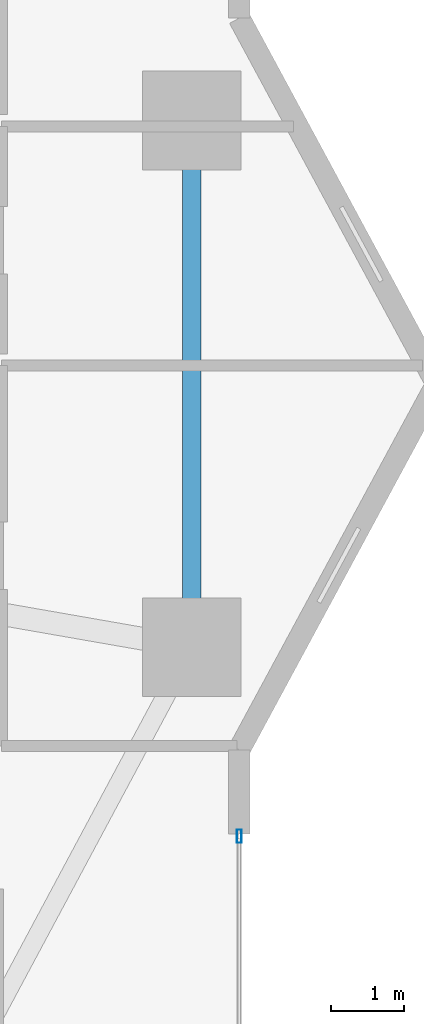
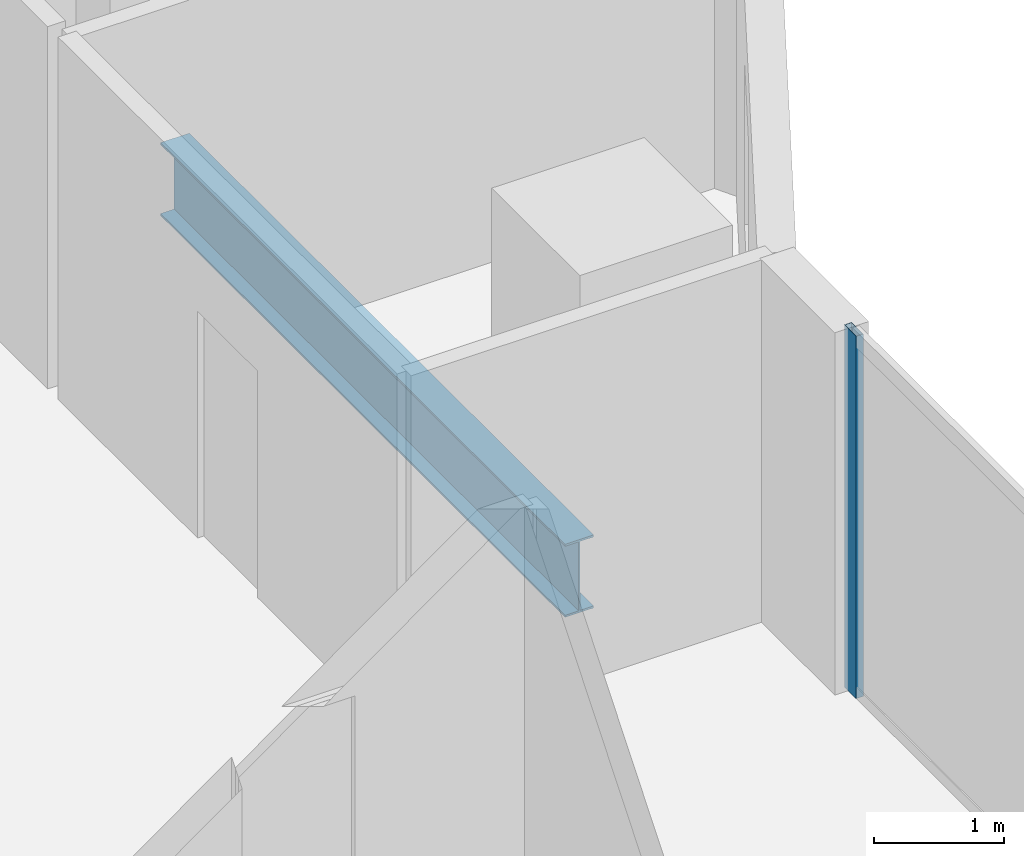
# One storey, part 13 of 29: 1 beam, 1 member, 1 element without a shape of its own.
"""IFC4 building model written with IfcOpenShell, lengths in metres."""

import ifcopenshell
import ifcopenshell.guid

model = None  # the IFC model being written
_history = None  # IfcOwnerHistory: only IFC2X3 demands one
_inside = {}  # id of a spatial element -> (the spatial element, [elements in it])
_under = {}  # id of a project, library or spatial element -> (it, [spatial elements below it])
_declared = {}  # id of a project -> (the project, [libraries it declares])
_typed = {}  # id of a type object -> (the type object, [elements of that type])
_made_of = {}  # id of a material, layer set ... -> (it, [elements and type objects made of it])


def new_model(schema):
    """Start an empty IFC model of exactly this schema.

    Asked for "IFC4X3", IfcOpenShell would pick the latest addendum, in which some entities
    have other attributes; the version numbers below select the first issue.
    IFC2X3 requires an IfcOwnerHistory on every rooted entity: one is made here for all.
    """
    global model, _history
    if schema == "IFC4X3":
        model = ifcopenshell.file(schema_version=(4, 3, 0, 0))
    else:
        model = ifcopenshell.file(schema=schema)
    _inside.clear()
    _under.clear()
    _declared.clear()
    _typed.clear()
    _made_of.clear()
    _history = None
    if model.schema == "IFC2X3":
        org = make("IfcOrganization", Name="unknown")
        user = make(
            "IfcPersonAndOrganization",
            ThePerson=make("IfcPerson", FamilyName="unknown"),
            TheOrganization=org,
        )
        app = make(
            "IfcApplication",
            ApplicationDeveloper=org,
            Version="unknown",
            ApplicationFullName="unknown",
            ApplicationIdentifier="unknown",
        )
        _history = make(
            "IfcOwnerHistory",
            OwningUser=user,
            OwningApplication=app,
            ChangeAction="ADDED",
            CreationDate=0,
        )
    return model


def make(cls, **values):
    """One entity of the class cls with the attributes given. An attribute that is None is left unset."""
    return model.create_entity(
        cls, **{name: value for name, value in values.items() if value is not None}
    )


def rooted(cls, **values):
    """An entity with a GlobalId (a new one), such as an element, a storey or a relation."""
    return make(cls, GlobalId=ifcopenshell.guid.new(), OwnerHistory=_history, **values)


def si_unit(unit_type, name, prefix=None):
    """IfcSIUnit, for example si_unit("LENGTHUNIT", "METRE", prefix="MILLI")."""
    return make("IfcSIUnit", UnitType=unit_type, Prefix=prefix, Name=name)


def assignment(units):
    """IfcUnitAssignment: the units of a project."""
    return None if units is None else make("IfcUnitAssignment", Units=units)


def point(xyz):
    """IfcCartesianPoint."""
    return None if xyz is None else make("IfcCartesianPoint", Coordinates=xyz)


def direction(xyz):
    """IfcDirection."""
    return None if xyz is None else make("IfcDirection", DirectionRatios=xyz)


def frame(location, z_axis=None, x_axis=None):
    """IfcAxis2Placement3D, a coordinate frame: its origin and axes. An axis left out is left unset."""
    return make(
        "IfcAxis2Placement3D",
        Location=point(location),
        Axis=direction(z_axis),
        RefDirection=direction(x_axis),
    )


def frame_2d(location, x_axis=None):
    """IfcAxis2Placement2D, a coordinate frame in the plane: its origin and x axis."""
    return make(
        "IfcAxis2Placement2D", Location=point(location), RefDirection=direction(x_axis)
    )


def origin():
    """The frame at (0, 0, 0) with its axes left unset."""
    return frame((0.0, 0.0, 0.0))


def origin_2d():
    """The frame at (0, 0) in the plane with its x axis left unset."""
    return frame_2d((0.0, 0.0))


def place(relative_to, where):
    """IfcLocalPlacement: puts the frame where relative to a parent placement (None: the world)."""
    return make(
        "IfcLocalPlacement", PlacementRelTo=relative_to, RelativePlacement=where
    )


def context(
    kind, dimensions, precision=None, world=None, true_north=None, identifier=None
):
    """IfcGeometricRepresentationContext, for example the 3D "Model" context."""
    return make(
        "IfcGeometricRepresentationContext",
        ContextIdentifier=identifier,
        ContextType=kind,
        CoordinateSpaceDimension=dimensions,
        Precision=precision,
        WorldCoordinateSystem=world,
        TrueNorth=true_north,
    )


def subcontext(parent, identifier, kind, view, scale=None):
    """IfcGeometricRepresentationSubContext, for example "Body" below "Model"."""
    return make(
        "IfcGeometricRepresentationSubContext",
        ContextIdentifier=identifier,
        ContextType=kind,
        ParentContext=parent,
        TargetScale=scale,
        TargetView=view,
    )


def project(units=None, contexts=None):
    """IfcProject with its units and contexts."""
    return rooted(
        "IfcProject",
        Name="project",
        RepresentationContexts=contexts,
        UnitsInContext=assignment(units),
    )


def spatial(cls, under=None, at=None, **own):
    """A site, building, storey or space (cls), placed at a placement, below another one or the project."""
    s = rooted(cls, ObjectPlacement=at, **own)
    if under is not None:
        _under.setdefault(under.id(), (under, []))[1].append(s)
    return s


def profile(cls, at=None, kind="AREA", **sizes):
    """A parametric profile (cls). Its sizes go by their IFC names, for example OverallWidth=200.0."""
    return make(cls, ProfileType=kind, Position=at, **sizes)


def hollow_rectangle(**sizes):
    """IfcRectangleHollowProfileDef."""
    return profile("IfcRectangleHollowProfileDef", **sizes)


def i_section(**sizes):
    """IfcIShapeProfileDef."""
    return profile("IfcIShapeProfileDef", **sizes)


def extrude(swept, where, along, depth):
    """IfcExtrudedAreaSolid: the profile swept, set in the frame where, extruded along a direction by depth."""
    return make(
        "IfcExtrudedAreaSolid",
        SweptArea=swept,
        Position=where,
        ExtrudedDirection=direction(along),
        Depth=depth,
    )


def shape(context_of_items, identifier, shape_type, items):
    """IfcShapeRepresentation: the items that make up one representation, for example the "Body"."""
    return make(
        "IfcShapeRepresentation",
        ContextOfItems=context_of_items,
        RepresentationIdentifier=identifier,
        RepresentationType=shape_type,
        Items=items,
    )


def material(Name=None, Category=None):
    """IfcMaterial."""
    return make("IfcMaterial", Name=Name, Category=Category)


def layer(
    of_material, thickness, ventilated=None, Name=None, Category=None, Priority=None
):
    """IfcMaterialLayer: one layer of a wall or slab, of a material (None: an air gap)."""
    return make(
        "IfcMaterialLayer",
        Material=of_material,
        LayerThickness=thickness,
        IsVentilated=ventilated,
        Name=Name,
        Category=Category,
        Priority=Priority,
    )


def layer_set(layers, Name=None):
    """IfcMaterialLayerSet."""
    return make("IfcMaterialLayerSet", MaterialLayers=layers, LayerSetName=Name)


def material_profile(
    of_material, cross_section, Name=None, Category=None, Priority=None
):
    """IfcMaterialProfile: a cross section and its material."""
    return make(
        "IfcMaterialProfile",
        Name=Name,
        Material=of_material,
        Profile=cross_section,
        Priority=Priority,
        Category=Category,
    )


def profile_set(profiles, Name=None, composite=None):
    """IfcMaterialProfileSet."""
    return make(
        "IfcMaterialProfileSet",
        Name=Name,
        MaterialProfiles=profiles,
        CompositeProfile=composite,
    )


def made_of(thing, what):
    """Note that an element or type object is made of a material, layer set ...; save() writes the relation."""
    if what is not None:
        _made_of.setdefault(what.id(), (what, []))[1].append(thing)
    return thing


def type_object(cls, material=None, **own):
    """A type object (cls), such as IfcWallType, which elements share."""
    return made_of(rooted(cls, **own), material)


def element(
    cls,
    number,
    at=None,
    inside=None,
    cuts=None,
    type_object=None,
    material=None,
    context=None,
    identifier="Body",
    shape_type=None,
    held_by="IfcProductDefinitionShape",
    body=None,
    shapes=None,
    **own,
):
    """One element of the class cls, such as IfcWall. Its Tag is "e" and its number.

    at: its placement. inside: the storey or other place that contains it. cuts: it is an
    opening in that element (IfcRelVoidsElement). A single representation is given by context,
    identifier, shape_type and body (its items); several are given by shapes. held_by: the class
    of the entity that holds the representations. save() writes the other relations.
    """
    e = rooted(cls, Tag="e%d" % number, ObjectPlacement=at, **own)
    if body is not None:
        shapes = [shape(context, identifier, shape_type, body)]
    if shapes is not None:
        e.Representation = make(held_by, Representations=shapes)
    if inside is not None:
        _inside.setdefault(inside.id(), (inside, []))[1].append(e)
    if cuts is not None:
        rooted(
            "IfcRelVoidsElement", RelatingBuildingElement=cuts, RelatedOpeningElement=e
        )
    if type_object is not None:
        _typed.setdefault(type_object.id(), (type_object, []))[1].append(e)
    return made_of(e, material)


def aggregate(whole, parts):
    """IfcRelAggregates: a whole, such as a stair, and the parts it consists of."""
    return rooted("IfcRelAggregates", RelatingObject=whole, RelatedObjects=parts)


def save(model, path):
    """Write the relations noted so far, then the file.

    IfcRelAggregates (storeys below a building ...), IfcRelContainedInSpatialStructure (elements
    in a storey), IfcRelDefinesByType, IfcRelAssociatesMaterial and IfcRelDeclares: one each for
    every whole, place, type object, material and project.
    """
    for whole, parts in _under.values():
        aggregate(whole, parts)
    for where, things in _inside.values():
        rooted(
            "IfcRelContainedInSpatialStructure",
            RelatedElements=things,
            RelatingStructure=where,
        )
    for kind, things in _typed.values():
        rooted("IfcRelDefinesByType", RelatedObjects=things, RelatingType=kind)
    for what, things in _made_of.values():
        rooted("IfcRelAssociatesMaterial", RelatedObjects=things, RelatingMaterial=what)
    for by, libraries in _declared.values():
        rooted("IfcRelDeclares", RelatingContext=by, RelatedDefinitions=libraries)
    model.write(path)


model = new_model("IFC4")

# Units and contexts
model_context = context("Model", 3, precision=1e-05, world=origin(), true_north=direction((0.0, 1.0)))
body_context = subcontext(model_context, "Body", "Model", "MODEL_VIEW")
ifc_project = project(units=[si_unit("LENGTHUNIT", "METRE"), si_unit("AREAUNIT", "SQUARE_METRE"), si_unit("VOLUMEUNIT", "CUBIC_METRE"), si_unit("PLANEANGLEUNIT", "RADIAN"), si_unit("MASSUNIT", "GRAM", prefix="KILO")], contexts=[model_context])

# Site, building, storey
site_placement = place(None, origin())
site = spatial("IfcSite", under=ifc_project, at=site_placement, CompositionType="ELEMENT")
building_placement = place(site_placement, origin())
building = spatial("IfcBuilding", under=site, at=building_placement, Name="Zuhayl Quay Hotel", CompositionType="ELEMENT")
storey_placement = place(building_placement, frame((0.0, 0.0, 158.550048828125)))
storey = spatial("IfcBuildingStorey", under=building, at=storey_placement, Name="L40", CompositionType="ELEMENT", Elevation=158.550048828125)

# Beam
ifc_material_1 = material(Name="Steel ASTM A992 Grade 50", Category="steel")
ifc_material_profile_1 = material_profile(ifc_material_1, i_section(OverallWidth=0.25390625, OverallDepth=0.68310546875, WebThickness=0.012451171875, FlangeThickness=0.018798828125, at=origin_2d()), Name="W27X94")
ifc_profile_set_1 = profile_set([ifc_material_profile_1], Name="Steel ASTM A992 Grade 50")
beam_type = type_object("IfcBeamType", Name="BM_B2_W27X94", PredefinedType="BEAM", material=ifc_profile_set_1)
beam_placement = place(storey_placement, frame((23.25, 3.39990234375, -0.5615234375), z_axis=(0.0, 1.0, 0.0), x_axis=(-1.0, 0.0, 0.0)))
element("IfcBeam", 1, at=beam_placement, inside=storey, type_object=beam_type, Name="L40 Floor Beam RG_L40_05", PredefinedType="BEAM", context=body_context, shape_type="SweptSolid", body=[
    extrude(i_section(OverallWidth=0.25390625, OverallDepth=0.68310546875, WebThickness=0.012451171875, FlangeThickness=0.018798828125, at=origin_2d()), origin(), (0.0, 0.0, 1.0), 6.2001953125),
])

# Curtain wall, member
ifc_material_2 = material(Name="Anodised Aluminium 6063-T6", Category="aluminium")
ifc_layer = layer(ifc_material_2, 0.179931640625, Name="Anodised Aluminium 6063-T6", Category="aluminium")
ifc_layer_set = layer_set([ifc_layer], Name="Anodised Aluminium 6063-T6")
curtain_wall_type = type_object("IfcCurtainWallType", Name="CW_SYS_Z2", PredefinedType="USERDEFINED", material=ifc_layer_set)
curtain_wall_placement = place(storey_placement, origin())
curtain_wall = element("IfcCurtainWall", 2, at=curtain_wall_placement, inside=storey, type_object=curtain_wall_type, Name="L40 Curtain Wall ENV_L40_E14_CW1", ObjectType="UNITISED CURTAIN WALL", PredefinedType="USERDEFINED")
ifc_material_3 = material(Name="Black-anodised aluminium 6063-T6", Category="aluminium")
ifc_material_profile_2 = material_profile(ifc_material_3, hollow_rectangle(XDim=0.06494140625, YDim=0.179931640625, WallThickness=0.00341796875, at=origin_2d()), Name="ALU180X65")
ifc_profile_set_2 = profile_set([ifc_material_profile_2], Name="Black-anodised aluminium 6063-T6")
member_type = type_object("IfcMemberType", Name="MB_CW_MUL_180", PredefinedType="MULLION", material=ifc_profile_set_2)
member_placement = place(storey_placement, frame((23.89990234375, 0.3173828125, 0.0), z_axis=(0.0, 0.0, 1.0), x_axis=(1.0, 0.0, 0.0)))
member = element("IfcMember", 3, at=member_placement, type_object=member_type, Name="CW-Z2 mullion 1", PredefinedType="MULLION", context=body_context, shape_type="SweptSolid", body=[
    extrude(hollow_rectangle(XDim=0.06494140625, YDim=0.179931640625, WallThickness=0.00341796875, at=origin_2d()), origin(), (0.0, 0.0, 1.0), 3.389892578125),
])
aggregate(curtain_wall, [member])

save(model, "model.ifc")
